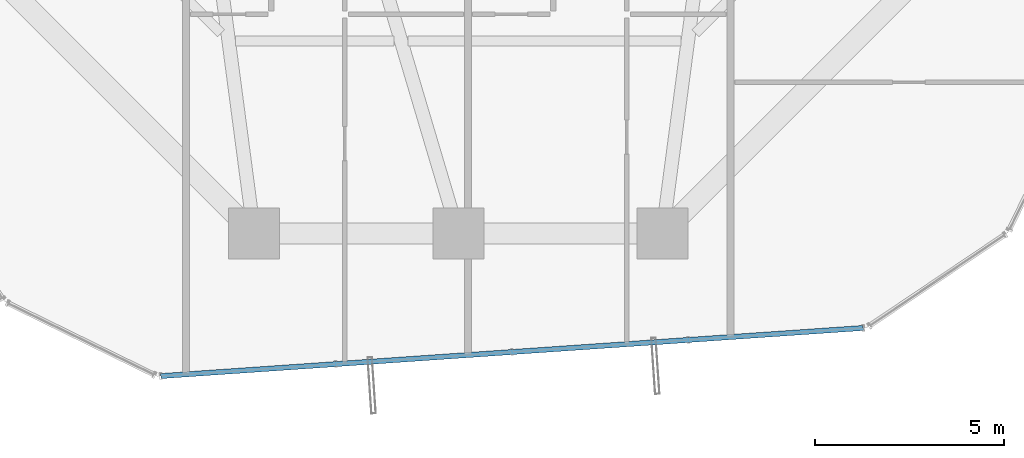
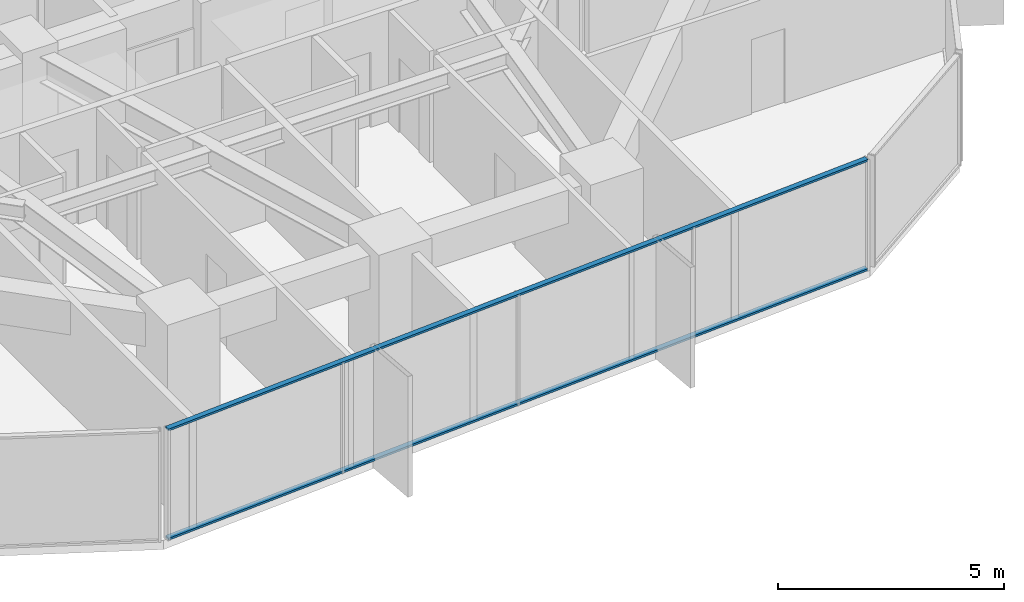
# One storey, part 7 of 37: 2 members, 1 element without a shape of its own.
"""IFC4 building model written with IfcOpenShell, lengths in metres."""

from ifc_helpers import new_model, si_unit, direction, frame, origin, origin_2d, place, context, subcontext, project, spatial, hollow_rectangle, extrude, source, transform, mapped, material, layer, layer_set, material_profile, profile_set, type_object, element, aggregate, save


model = new_model("IFC4")

# Units and contexts
model_context = context("Model", 3, precision=1e-05, world=origin(), true_north=direction((0.0, 1.0)))
body_context = subcontext(model_context, "Body", "Model", "MODEL_VIEW")
ifc_project = project(units=[si_unit("LENGTHUNIT", "METRE"), si_unit("AREAUNIT", "SQUARE_METRE"), si_unit("VOLUMEUNIT", "CUBIC_METRE"), si_unit("PLANEANGLEUNIT", "RADIAN"), si_unit("MASSUNIT", "GRAM", prefix="KILO")], contexts=[model_context])

# Site, building, storey
site_placement = place(None, origin())
site = spatial("IfcSite", under=ifc_project, at=site_placement, CompositionType="ELEMENT")
building_placement = place(site_placement, origin())
building = spatial("IfcBuilding", under=site, at=building_placement, Name="Veraguas Prism Commons", CompositionType="ELEMENT")
storey_placement = place(building_placement, frame((0.0, 0.0, 37.050048828125)))
storey = spatial("IfcBuildingStorey", under=building, at=storey_placement, Name="L09", CompositionType="ELEMENT", Elevation=37.050048828125)

# Curtain wall, members
ifc_material = material(Name="Anodised aluminium EN AW-6063 T6", Category="aluminium")
ifc_layer = layer(ifc_material, 0.169921875, Name="Unitised Flush Curtain Wall Zone 1", Category="aluminium")
ifc_layer_set = layer_set([ifc_layer], Name="Anodised aluminium EN AW-6063 T6")
curtain_wall_type = type_object("IfcCurtainWallType", Name="Unitised Flush Curtain Wall Zone 1", PredefinedType="NOTDEFINED", material=ifc_layer_set)
curtain_wall_placement = place(storey_placement, origin())
curtain_wall = element("IfcCurtainWall", 1, at=curtain_wall_placement, inside=storey, type_object=curtain_wall_type, Name="Tower Facade Curtain Wall L09-F5", PredefinedType="NOTDEFINED")
ifc_material_profile = material_profile(ifc_material, hollow_rectangle(XDim=0.054931640625, YDim=0.135009765625, WallThickness=0.0029296875, at=origin_2d()), Name="AL55X135X3")
ifc_profile_set = profile_set([ifc_material_profile], Name="Anodised aluminium EN AW-6063 T6")
member_type = type_object("IfcMemberType", Name="Curtain Wall Transom Standard AL 55x135x3", PredefinedType="USERDEFINED", material=ifc_profile_set)
shared_shape = source(origin(), body_context, "Body", "SweptSolid", [
    extrude(hollow_rectangle(XDim=0.054931640625, YDim=0.135009765625, WallThickness=0.0029296875, at=origin_2d()), origin(), (0.0, 0.0, 1.0), 18.62353515625),
])
member_1_placement = place(storey_placement, frame((16.130859375, 2.62744140625, 0.02734375), z_axis=(0.997660422261, 0.068364331731, 0.0), x_axis=(0.0, 0.0, 1.0)))
member_1 = element("IfcMember", 2, at=member_1_placement, type_object=member_type, Name="CW-Z1 Transom 1", ObjectType="TRANSOM", PredefinedType="USERDEFINED", context=body_context, shape_type="MappedRepresentation", body=[
    mapped(shared_shape, transform((0.0, 0.0, 0.0), scale=1.0)),
])
member_2_placement = place(storey_placement, frame((16.130859375, 2.62744140625, 2.972412109375), z_axis=(0.997660422261, 0.068364331731, 0.0), x_axis=(0.0, 0.0, 1.0)))
member_2 = element("IfcMember", 3, at=member_2_placement, type_object=member_type, Name="CW-Z1 Transom 2", ObjectType="TRANSOM", PredefinedType="USERDEFINED", context=body_context, shape_type="MappedRepresentation", body=[
    mapped(shared_shape, transform((0.0, 0.0, 0.0), scale=1.0)),
])
aggregate(curtain_wall, [member_1, member_2])

save(model, "model.ifc")
